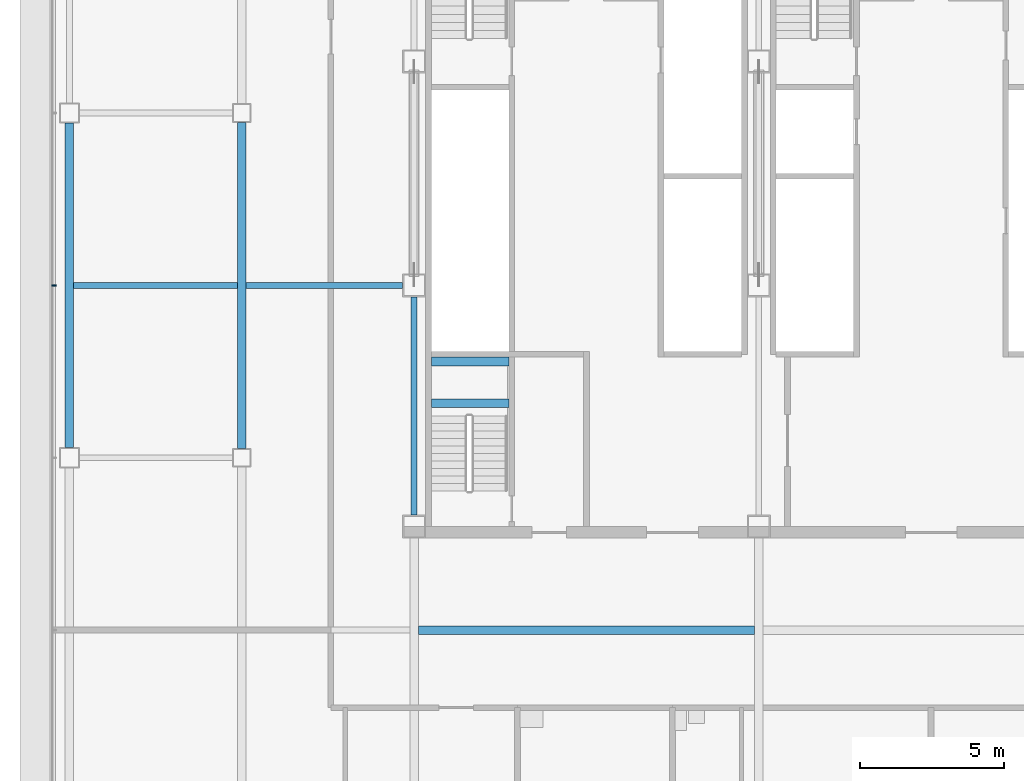
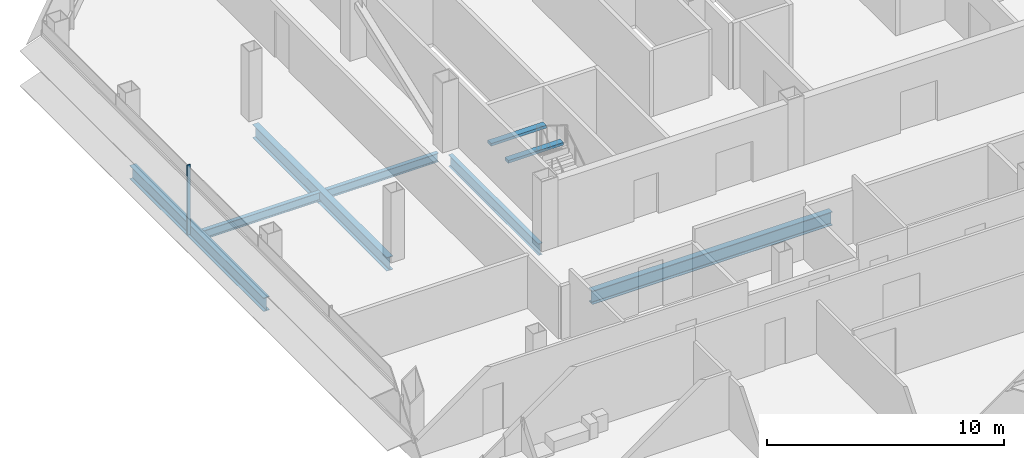
# One storey, part 6 of 27: 8 beams, 1 member, 1 element without a shape of its own.
"""IFC4 building model written with IfcOpenShell, lengths in metres."""

from ifc_helpers import new_model, si_unit, direction, frame, origin, origin_2d, place, context, subcontext, project, spatial, rectangle, i_section, extrude, material, material_profile, profile_set, type_object, element, aggregate, save


model = new_model("IFC4")

# Units and contexts
model_context = context("Model", 3, precision=1e-05, world=origin(), true_north=direction((0.0, 1.0)))
body_context = subcontext(model_context, "Body", "Model", "MODEL_VIEW")
ifc_project = project(units=[si_unit("LENGTHUNIT", "METRE"), si_unit("AREAUNIT", "SQUARE_METRE"), si_unit("VOLUMEUNIT", "CUBIC_METRE"), si_unit("PLANEANGLEUNIT", "RADIAN"), si_unit("MASSUNIT", "GRAM", prefix="KILO")], contexts=[model_context])

# Site, building, storey
site_placement = place(None, origin())
site = spatial("IfcSite", under=ifc_project, at=site_placement, CompositionType="ELEMENT")
building_placement = place(site_placement, origin())
building = spatial("IfcBuilding", under=site, at=building_placement, Name="Sorahane Residences", CompositionType="ELEMENT")
storey_placement = place(building_placement, frame((0.0, 0.0, 167.199951171875)))
storey = spatial("IfcBuildingStorey", under=building, at=storey_placement, Name="L38", CompositionType="ELEMENT", Elevation=167.199951171875)

# Curtain wall, member
ifc_material_1 = material(Name="Dark low-e glass and black anodised aluminium", Category="aluminium")
curtain_wall_type = type_object("IfcCurtainWallType", Name="Curtain wall CW-1 Typical unitised wall", PredefinedType="NOTDEFINED", material=ifc_material_1)
curtain_wall_placement = place(storey_placement, origin())
curtain_wall = element("IfcCurtainWall", 1, at=curtain_wall_placement, inside=storey, type_object=curtain_wall_type, Name="CW-1 curtain wall L38 W1", PredefinedType="NOTDEFINED")
ifc_material_2 = material(Name="Black anodised aluminium", Category="aluminium")
ifc_material_profile_1 = material_profile(ifc_material_2, rectangle(XDim=0.159912109375, YDim=0.050048828125, at=origin_2d()), Name="Curtain wall mullion CW-1 black anodised aluminium 50x160")
ifc_profile_set_1 = profile_set([ifc_material_profile_1], Name="Black anodised aluminium")
member_type = type_object("IfcMemberType", Name="Curtain wall mullion CW-1 black anodised aluminium 50x160", PredefinedType="MULLION", material=ifc_profile_set_1)
member_placement = place(storey_placement, frame((-6.5400390625, 30.0, -0.179931640625), z_axis=(0.0, 0.0, 1.0), x_axis=(-1.0, 0.0, 0.0)))
member = element("IfcMember", 2, at=member_placement, type_object=member_type, Name="CW-1 mullion L38 W1.3", PredefinedType="MULLION", context=body_context, shape_type="SweptSolid", body=[
    extrude(rectangle(XDim=0.159912109375, YDim=0.050048828125, at=origin_2d()), origin(), (0.0, 0.0, 1.0), 3.60009765625),
])
aggregate(curtain_wall, [member])

# Beams
ifc_material_3 = material(Name="Concrete C40", Category="concrete")
ifc_material_profile_2 = material_profile(ifc_material_3, rectangle(XDim=0.300048828125, YDim=0.139892578125, at=origin_2d()), Name="300x140")
ifc_profile_set_2 = profile_set([ifc_material_profile_2], Name="Concrete C40")
beam_type_1 = type_object("IfcBeamType", Name="RC landing beam 300 x 140 Concrete C40", PredefinedType="BEAM", material=ifc_profile_set_2)
for number, where, z_axis, x_axis, name in (
    (3, (6.60009765625, 25.89990234375, 1.530029296875), (1.0, 0.0, 0.0), (0.0, 1.0, 0.0), "Landing beam"),
    (4, (6.60009765625, 27.35009765625, 1.530029296875), (1.0, 0.0, 0.0), (0.0, 1.0, 0.0), "Landing beam"),
):
    element("IfcBeam", number, at=place(storey_placement, frame(where, z_axis=z_axis, x_axis=x_axis)), inside=storey, type_object=beam_type_1, Name=name, PredefinedType="BEAM", context=body_context, shape_type="SweptSolid", body=[
        extrude(rectangle(XDim=0.300048828125, YDim=0.139892578125, at=origin_2d()), origin(), (0.0, 0.0, 1.0), 2.699951171875),
    ])
ifc_material_4 = material(Name="Steel Q355B", Category="steel")
ifc_material_profile_3 = material_profile(ifc_material_4, i_section(OverallWidth=0.199951171875, OverallDepth=0.449951171875, WebThickness=0.009033203125, FlangeThickness=0.013916015625, FilletRadius=0.02001953125, at=origin_2d()), Name="HN 450x200x9x14")
ifc_profile_set_3 = profile_set([ifc_material_profile_3], Name="Steel Q355B")
beam_type_2 = type_object("IfcBeamType", Name="Steel floor beam HN 450x200x9x14 Q355B", PredefinedType="BEAM", material=ifc_profile_set_3)
beam_1_placement = place(storey_placement, frame((-5.85009765625, 30.0, -0.405029296875), z_axis=(1.0, 0.0, 0.0), x_axis=(0.0, 1.0, 0.0)))
element("IfcBeam", 5, at=beam_1_placement, inside=storey, type_object=beam_type_2, Name="Beam L38 082", PredefinedType="BEAM", context=body_context, shape_type="SweptSolid", body=[
    extrude(i_section(OverallWidth=0.199951171875, OverallDepth=0.449951171875, WebThickness=0.009033203125, FlangeThickness=0.013916015625, FilletRadius=0.02001953125, at=origin_2d()), origin(), (0.0, 0.0, 1.0), 5.7001953125),
])
beam_2_placement = place(storey_placement, frame((0.14990234375, 30.0, -0.405029296875), z_axis=(1.0, 0.0, 0.0), x_axis=(0.0, 1.0, 0.0)))
element("IfcBeam", 6, at=beam_2_placement, inside=storey, type_object=beam_type_2, Name="Beam L38 083", PredefinedType="BEAM", context=body_context, shape_type="SweptSolid", body=[
    extrude(i_section(OverallWidth=0.199951171875, OverallDepth=0.449951171875, WebThickness=0.009033203125, FlangeThickness=0.013916015625, FilletRadius=0.02001953125, at=origin_2d()), origin(), (0.0, 0.0, 1.0), 5.4501953125),
])
ifc_material_5 = material(Name="Steel Q355B", Category="steel")
ifc_material_profile_4 = material_profile(ifc_material_5, i_section(OverallWidth=0.199951171875, OverallDepth=0.60009765625, WebThickness=0.010986328125, FlangeThickness=0.01708984375, FilletRadius=0.02392578125, at=origin_2d()), Name="HN 600x200x11x17")
ifc_profile_set_4 = profile_set([ifc_material_profile_4], Name="Steel Q355B")
beam_type_3 = type_object("IfcBeamType", Name="Steel floor beam HN 600x200x11x17 Q355B", PredefinedType="BEAM", material=ifc_profile_set_4)
beam_3_placement = place(storey_placement, frame((6.0, 22.0, -0.47998046875), z_axis=(0.0, 1.0, 0.0), x_axis=(-1.0, 0.0, 0.0)))
element("IfcBeam", 7, at=beam_3_placement, inside=storey, type_object=beam_type_3, Name="Beam L38 030", PredefinedType="BEAM", context=body_context, shape_type="SweptSolid", body=[
    extrude(i_section(OverallWidth=0.199951171875, OverallDepth=0.60009765625, WebThickness=0.010986328125, FlangeThickness=0.01708984375, FilletRadius=0.02392578125, at=origin_2d()), origin(), (0.0, 0.0, 1.0), 7.60009765625),
])
ifc_material_6 = material(Name="Steel Q355B", Category="steel")
ifc_material_profile_5 = material_profile(ifc_material_6, i_section(OverallWidth=0.300048828125, OverallDepth=0.699951171875, WebThickness=0.012939453125, FlangeThickness=0.02392578125, FilletRadius=0.028076171875, at=origin_2d()), Name="HN 700x300x13x24")
ifc_profile_set_5 = profile_set([ifc_material_profile_5], Name="Steel Q355B")
beam_type_4 = type_object("IfcBeamType", Name="Steel floor beam HN 700x300x13x24 Q355B", PredefinedType="BEAM", material=ifc_profile_set_5)
beam_4_placement = place(storey_placement, frame((-6.0, 24.35009765625, -0.530029296875), z_axis=(0.0, 1.0, 0.0), x_axis=(-1.0, 0.0, 0.0)))
element("IfcBeam", 8, at=beam_4_placement, inside=storey, type_object=beam_type_4, Name="Beam L38 022", PredefinedType="BEAM", context=body_context, shape_type="SweptSolid", body=[
    extrude(i_section(OverallWidth=0.300048828125, OverallDepth=0.699951171875, WebThickness=0.012939453125, FlangeThickness=0.02392578125, FilletRadius=0.028076171875, at=origin_2d()), origin(), (0.0, 0.0, 1.0), 11.2998046875),
])
beam_5_placement = place(storey_placement, frame((0.0, 24.324951171875, -0.530029296875), z_axis=(0.0, 1.0, 0.0), x_axis=(-1.0, 0.0, 0.0)))
element("IfcBeam", 9, at=beam_5_placement, inside=storey, type_object=beam_type_4, Name="Beam L38 026", PredefinedType="BEAM", context=body_context, shape_type="SweptSolid", body=[
    extrude(i_section(OverallWidth=0.300048828125, OverallDepth=0.699951171875, WebThickness=0.012939453125, FlangeThickness=0.02392578125, FilletRadius=0.028076171875, at=origin_2d()), origin(), (0.0, 0.0, 1.0), 11.35009765625),
])
beam_6_placement = place(storey_placement, frame((6.14990234375, 18.0, -0.530029296875), z_axis=(1.0, 0.0, 0.0), x_axis=(0.0, 1.0, 0.0)))
element("IfcBeam", 10, at=beam_6_placement, inside=storey, type_object=beam_type_4, Name="Beam L38 078", PredefinedType="BEAM", context=body_context, shape_type="SweptSolid", body=[
    extrude(i_section(OverallWidth=0.300048828125, OverallDepth=0.699951171875, WebThickness=0.012939453125, FlangeThickness=0.02392578125, FilletRadius=0.028076171875, at=origin_2d()), origin(), (0.0, 0.0, 1.0), 11.7001953125),
])

save(model, "model.ifc")
